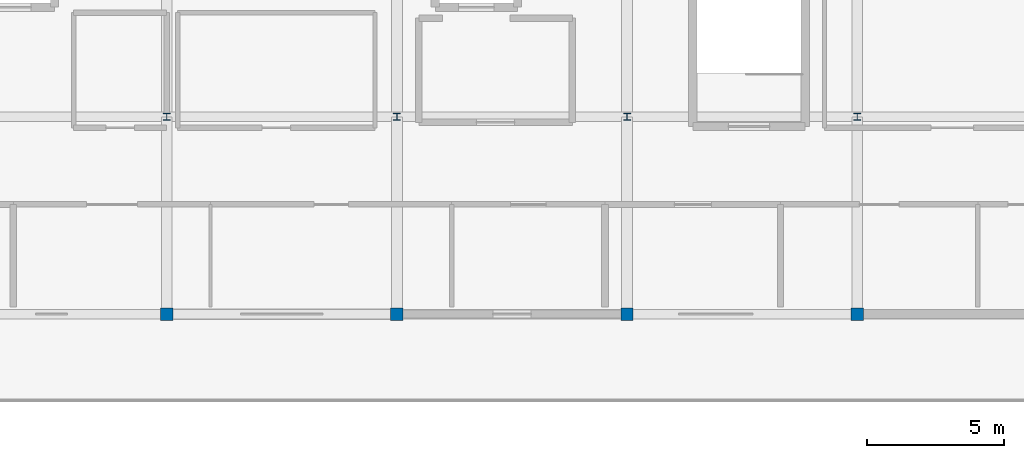
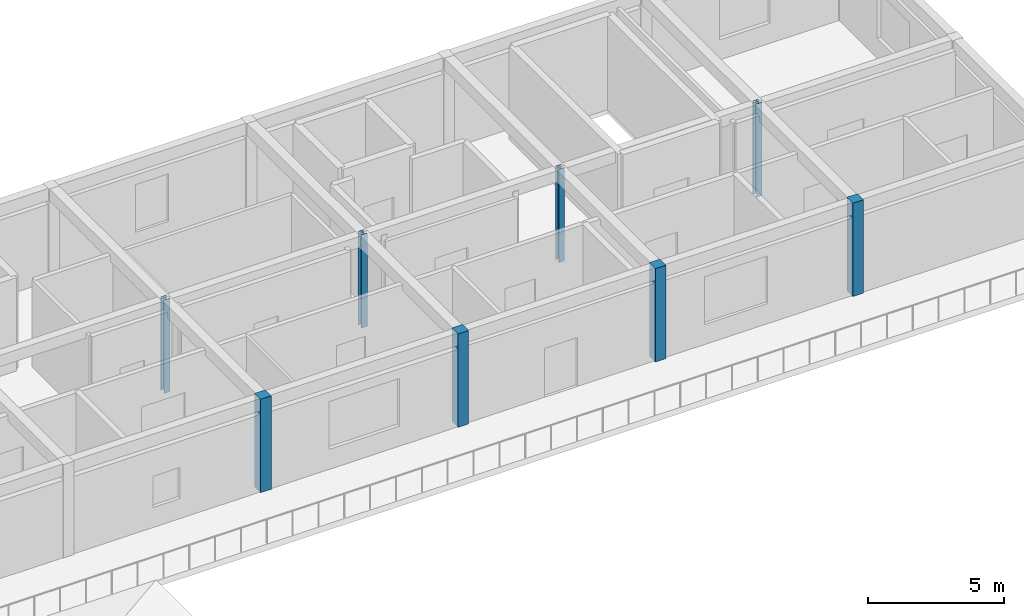
# One storey, part 2 of 22: 8 columns.
"""IFC4 building model written with IfcOpenShell, lengths in metres."""

from ifc_helpers import new_model, si_unit, direction, frame, origin, origin_2d, place, context, subcontext, project, spatial, rectangle, i_section, extrude, material, material_profile, profile_set, type_object, element, save


model = new_model("IFC4")

# Units and contexts
model_context = context("Model", 3, precision=1e-05, world=origin(), true_north=direction((0.0, 1.0)))
body_context = subcontext(model_context, "Body", "Model", "MODEL_VIEW")
ifc_project = project(units=[si_unit("LENGTHUNIT", "METRE"), si_unit("AREAUNIT", "SQUARE_METRE"), si_unit("VOLUMEUNIT", "CUBIC_METRE"), si_unit("PLANEANGLEUNIT", "RADIAN"), si_unit("MASSUNIT", "GRAM", prefix="KILO")], contexts=[model_context])

# Site, building, storey
site_placement = place(None, origin())
site = spatial("IfcSite", under=ifc_project, at=site_placement, CompositionType="ELEMENT")
building_placement = place(site_placement, origin())
building = spatial("IfcBuilding", under=site, at=building_placement, Name="Varncliffe General Hospital", CompositionType="ELEMENT")
storey_placement = place(building_placement, frame((0.0, 0.0, 33.0)))
storey = spatial("IfcBuildingStorey", under=building, at=storey_placement, Name="L07", CompositionType="ELEMENT", Elevation=33.0)

# Columns
ifc_material_1 = material(Name="Concrete C40/50 (CSA A23.1 40 MPa)", Category="concrete")
ifc_material_profile_1 = material_profile(ifc_material_1, rectangle(XDim=0.449951171875, YDim=0.449951171875, at=origin_2d()), Name="RC 450x450")
ifc_profile_set_1 = profile_set([ifc_material_profile_1], Name="Concrete C40/50 (CSA A23.1 40 MPa)")
column_type_1 = type_object("IfcColumnType", Name="Column C73 (Ext RC 450x450)", PredefinedType="COLUMN", material=ifc_profile_set_1)
for number, where, z_axis, x_axis, name in (
    (1, (33.60009765625, 109.199951171875, 0.0), (0.0, 0.0, 1.0), (1.0, 0.0, 0.0), "L07 Column C73"),
    (2, (42.0, 109.199951171875, 0.0), (0.0, 0.0, 1.0), (1.0, 0.0, 0.0), "L07 Column C73"),
    (3, (50.39990234375, 109.199951171875, 0.0), (0.0, 0.0, 1.0), (1.0, 0.0, 0.0), "L07 Column C73"),
    (4, (58.800048828125, 109.199951171875, 0.0), (0.0, 0.0, 1.0), (1.0, 0.0, 0.0), "L07 Column C73"),
):
    element("IfcColumn", number, at=place(storey_placement, frame(where, z_axis=z_axis, x_axis=x_axis)), inside=storey, type_object=column_type_1, Name=name, PredefinedType="COLUMN", context=body_context, shape_type="SweptSolid", body=[
        extrude(rectangle(XDim=0.449951171875, YDim=0.449951171875, at=origin_2d()), origin(), (0.0, 0.0, 1.0), 4.199951171875),
    ])
ifc_material_2 = material(Name="Steel S355 (CSA G40.21 350W)", Category="steel")
ifc_material_profile_2 = material_profile(ifc_material_2, i_section(OverallWidth=0.25390625, OverallDepth=0.2529296875, WebThickness=0.008544921875, FlangeThickness=0.01416015625, FilletRadius=0.012939453125, at=origin_2d()), Name="W250x73")
ifc_profile_set_2 = profile_set([ifc_material_profile_2], Name="Steel S355 (CSA G40.21 350W)")
column_type_2 = type_object("IfcColumnType", Name="Column C75 (Int W250x73)", PredefinedType="COLUMN", material=ifc_profile_set_2)
for number, where, z_axis, x_axis, name in (
    (5, (33.60009765625, 116.39990234375, 0.0), (0.0, 0.0, 1.0), (1.0, 0.0, 0.0), "L07 Column C75"),
    (6, (42.0, 116.39990234375, 0.0), (0.0, 0.0, 1.0), (1.0, 0.0, 0.0), "L07 Column C75"),
    (7, (50.39990234375, 116.39990234375, 0.0), (0.0, 0.0, 1.0), (1.0, 0.0, 0.0), "L07 Column C75"),
    (8, (58.800048828125, 116.39990234375, 0.0), (0.0, 0.0, 1.0), (1.0, 0.0, 0.0), "L07 Column C75"),
):
    element("IfcColumn", number, at=place(storey_placement, frame(where, z_axis=z_axis, x_axis=x_axis)), inside=storey, type_object=column_type_2, Name=name, PredefinedType="COLUMN", context=body_context, shape_type="SweptSolid", body=[
        extrude(i_section(OverallWidth=0.25390625, OverallDepth=0.2529296875, WebThickness=0.008544921875, FlangeThickness=0.01416015625, FilletRadius=0.012939453125, at=origin_2d()), origin(), (0.0, 0.0, 1.0), 4.199951171875),
    ])

save(model, "model.ifc")
